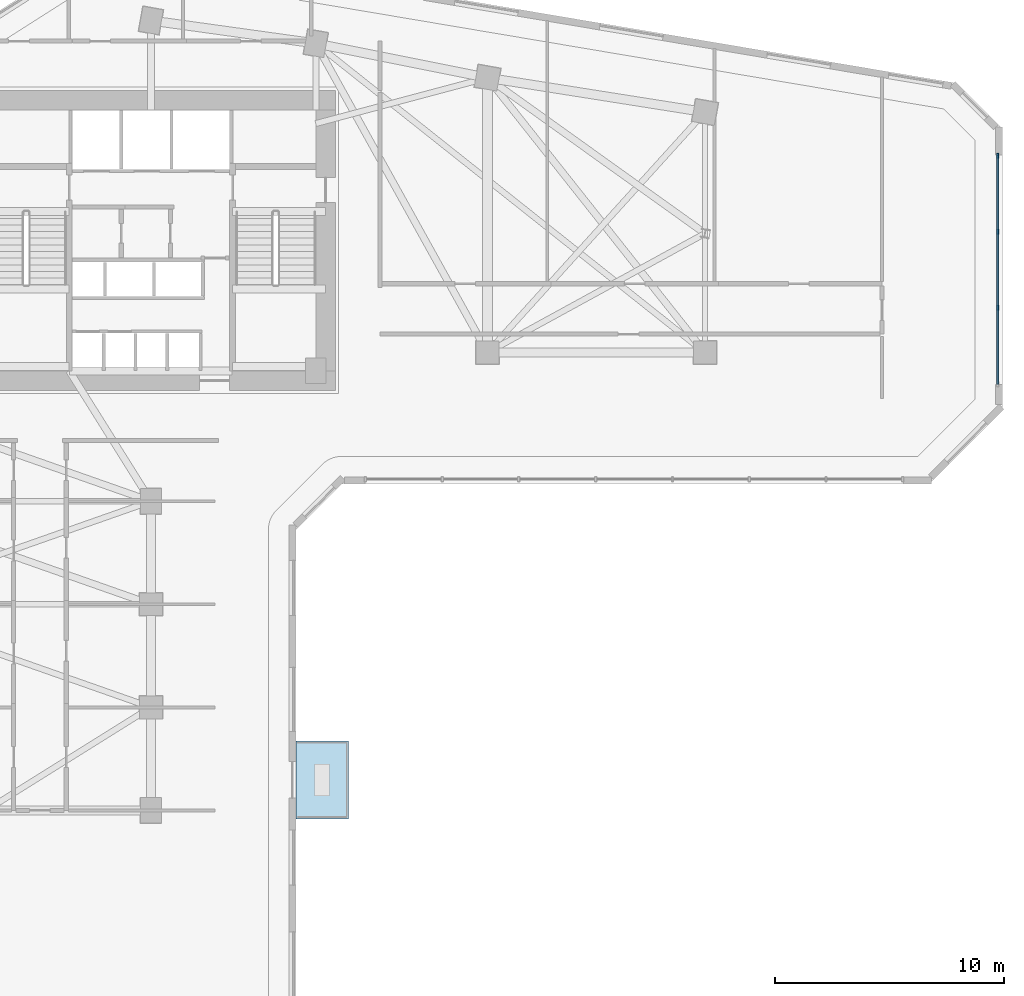
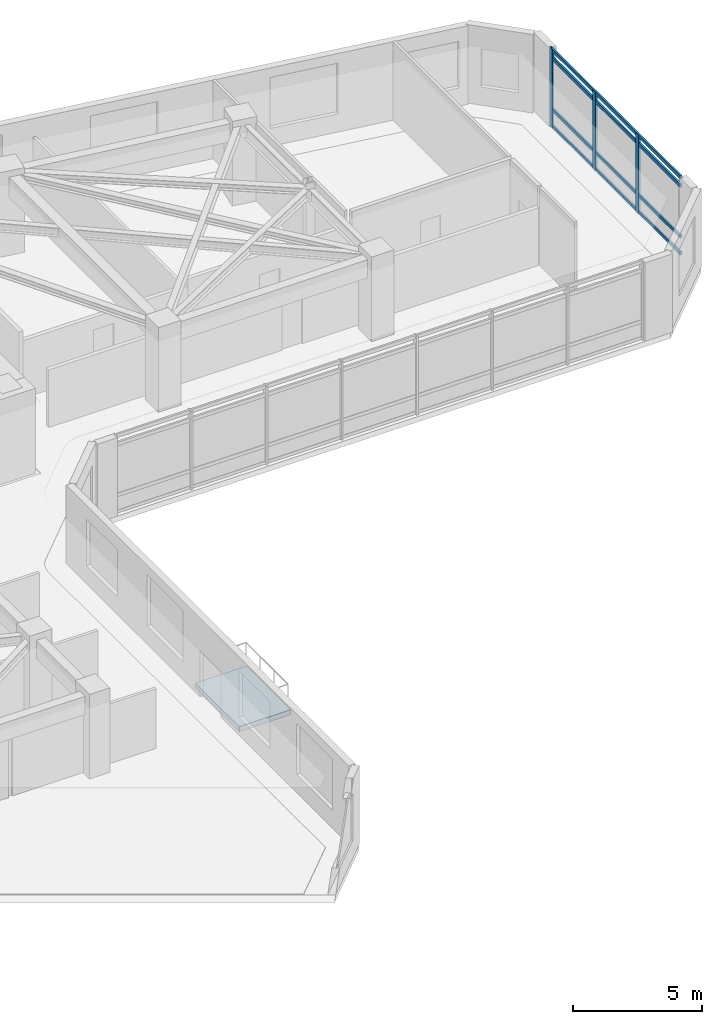
# One storey, part 4 of 11: 7 members, 1 slab, 1 element without a shape of its own.
"""IFC4 building model written with IfcOpenShell, lengths in metres."""

from ifc_helpers import new_model, si_unit, direction, frame, origin, origin_2d, place, context, subcontext, project, spatial, polyline, rectangle, outline, extrude, source, transform, mapped, material, layer, layer_set, material_profile, profile_set, type_object, element, aggregate, save


model = new_model("IFC4")

# Units and contexts
model_context = context("Model", 3, precision=1e-05, world=origin(), true_north=direction((0.0, 1.0)))
body_context = subcontext(model_context, "Body", "Model", "MODEL_VIEW")
ifc_project = project(units=[si_unit("LENGTHUNIT", "METRE"), si_unit("AREAUNIT", "SQUARE_METRE"), si_unit("VOLUMEUNIT", "CUBIC_METRE"), si_unit("PLANEANGLEUNIT", "RADIAN"), si_unit("MASSUNIT", "GRAM", prefix="KILO")], contexts=[model_context])

# Site, building, storey
site_placement = place(None, origin())
site = spatial("IfcSite", under=ifc_project, at=site_placement, CompositionType="ELEMENT")
building_placement = place(site_placement, origin())
building = spatial("IfcBuilding", under=site, at=building_placement, Name="Calvemar Wedge Station Tower", CompositionType="ELEMENT")
storey_placement = place(building_placement, frame((0.0, 0.0, 59.0)))
storey = spatial("IfcBuildingStorey", under=building, at=storey_placement, Name="L14", CompositionType="ELEMENT", Elevation=59.0)

# Curtain wall, members
ifc_material_1 = material(Name="Anodised aluminium 6063-T6", Category="aluminium")
curtain_wall_type = type_object("IfcCurtainWallType", Name="CW1", PredefinedType="NOTDEFINED", material=ifc_material_1)
curtain_wall_placement = place(storey_placement, origin())
curtain_wall = element("IfcCurtainWall", 1, at=curtain_wall_placement, inside=storey, type_object=curtain_wall_type, Name="Storey L14 CW1 Recessed Unitised Curtain Wall 8", PredefinedType="NOTDEFINED")
ifc_material_profile_1 = material_profile(ifc_material_1, rectangle(XDim=0.080078125, YDim=0.159912109375, at=origin_2d()), Name="AL-TRN-80x160")
ifc_profile_set_1 = profile_set([ifc_material_profile_1], Name="Anodised aluminium 6063-T6")
member_type_1 = type_object("IfcMemberType", Name="CW1-TRN", PredefinedType="USERDEFINED", material=ifc_profile_set_1)
shared_shape_1 = source(origin(), body_context, "Body", "SweptSolid", [
    extrude(rectangle(XDim=0.080078125, YDim=0.159912109375, at=origin_2d()), origin(), (0.0, 0.0, 1.0), 9.975830078125),
])
member_1_placement = place(storey_placement, frame((60.7900390625, 33.6220703125, 0.06005859375), z_axis=(0.0, 1.0, 0.0), x_axis=(-1.0, 0.0, 0.0)))
member_1 = element("IfcMember", 2, at=member_1_placement, type_object=member_type_1, Name="CW1 transom 1", ObjectType="TRANSOM", PredefinedType="USERDEFINED", context=body_context, shape_type="MappedRepresentation", body=[
    mapped(shared_shape_1, transform((0.0, 0.0, 0.0), scale=1.0)),
])
member_2_placement = place(storey_placement, frame((60.7900390625, 33.6220703125, 0.85009765625), z_axis=(0.0, 1.0, 0.0), x_axis=(-1.0, 0.0, 0.0)))
member_2 = element("IfcMember", 3, at=member_2_placement, type_object=member_type_1, Name="CW1 transom 2", ObjectType="TRANSOM", PredefinedType="USERDEFINED", context=body_context, shape_type="MappedRepresentation", body=[
    mapped(shared_shape_1, transform((0.0, 0.0, 0.0), scale=1.0)),
])
member_3_placement = place(storey_placement, frame((60.7900390625, 33.6220703125, 3.25), z_axis=(0.0, 1.0, 0.0), x_axis=(-1.0, 0.0, 0.0)))
member_3 = element("IfcMember", 4, at=member_3_placement, type_object=member_type_1, Name="CW1 transom 3", ObjectType="TRANSOM", PredefinedType="USERDEFINED", context=body_context, shape_type="MappedRepresentation", body=[
    mapped(shared_shape_1, transform((0.0, 0.0, 0.0), scale=1.0)),
])
member_4_placement = place(storey_placement, frame((60.7900390625, 33.6220703125, 3.639892578125), z_axis=(0.0, 1.0, 0.0), x_axis=(-1.0, 0.0, 0.0)))
member_4 = element("IfcMember", 5, at=member_4_placement, type_object=member_type_1, Name="CW1 transom 4", ObjectType="TRANSOM", PredefinedType="USERDEFINED", context=body_context, shape_type="MappedRepresentation", body=[
    mapped(shared_shape_1, transform((0.0, 0.0, 0.0), scale=1.0)),
])
ifc_material_profile_2 = material_profile(ifc_material_1, rectangle(XDim=0.080078125, YDim=0.219970703125, at=origin_2d()), Name="AL-MUL-80x220")
ifc_profile_set_2 = profile_set([ifc_material_profile_2], Name="Anodised aluminium 6063-T6")
member_type_2 = type_object("IfcMemberType", Name="CW1-MUL", PredefinedType="MULLION", material=ifc_profile_set_2)
shared_shape_2 = source(origin(), body_context, "Body", "SweptSolid", [
    extrude(rectangle(XDim=0.080078125, YDim=0.219970703125, at=origin_2d()), origin(), (0.0, 0.0, 1.0), 3.75),
])
member_5_placement = place(storey_placement, frame((60.7900390625, 36.947509765625, -0.050048828125), z_axis=(0.0, 0.0, 1.0), x_axis=(1.0, 0.0, 0.0)))
member_5 = element("IfcMember", 6, at=member_5_placement, type_object=member_type_2, Name="CW1 mullion 2", PredefinedType="MULLION", context=body_context, shape_type="MappedRepresentation", body=[
    mapped(shared_shape_2, transform((0.0, 0.0, 0.0), scale=1.0)),
])
member_6_placement = place(storey_placement, frame((60.7900390625, 40.272705078125, -0.050048828125), z_axis=(0.0, 0.0, 1.0), x_axis=(1.0, 0.0, 0.0)))
member_6 = element("IfcMember", 7, at=member_6_placement, type_object=member_type_2, Name="CW1 mullion 3", PredefinedType="MULLION", context=body_context, shape_type="MappedRepresentation", body=[
    mapped(shared_shape_2, transform((0.0, 0.0, 0.0), scale=1.0)),
])
member_7_placement = place(storey_placement, frame((60.7900390625, 43.597900390625, -0.050048828125), z_axis=(0.0, 0.0, 1.0), x_axis=(1.0, 0.0, 0.0)))
member_7 = element("IfcMember", 8, at=member_7_placement, type_object=member_type_2, Name="CW1 mullion 4", PredefinedType="MULLION", context=body_context, shape_type="MappedRepresentation", body=[
    mapped(shared_shape_2, transform((0.0, 0.0, 0.0), scale=1.0)),
])
aggregate(curtain_wall, [member_5, member_6, member_7, member_1, member_2, member_3, member_4])

# Slab
ifc_material_2 = material(Name="Concrete C45", Category="concrete")
ifc_layer = layer(ifc_material_2, 0.239990234375)
ifc_layer_set = layer_set([ifc_layer], Name="Concrete C45")
slab_type = type_object("IfcSlabType", Name="SL-TERR-240", PredefinedType="FLOOR", material=ifc_layer_set)
slab_placement = place(storey_placement, frame((0.0, 0.0, -0.239990234375)))
element("IfcSlab", 9, at=slab_placement, inside=storey, type_object=slab_type, Name="Storey L14 Planted Spiral Terrace Slab", PredefinedType="FLOOR", context=body_context, shape_type="SweptSolid", body=[
    extrude(outline(polyline([(30.1279296875, 14.6298828125), (32.427978515625, 14.6298828125), (32.427978515625, 18.030029296875), (30.1279296875, 18.030029296875), (30.1279296875, 14.6298828125)])), origin(), (0.0, 0.0, 1.0), 0.239990234375),
])

save(model, "model.ifc")
